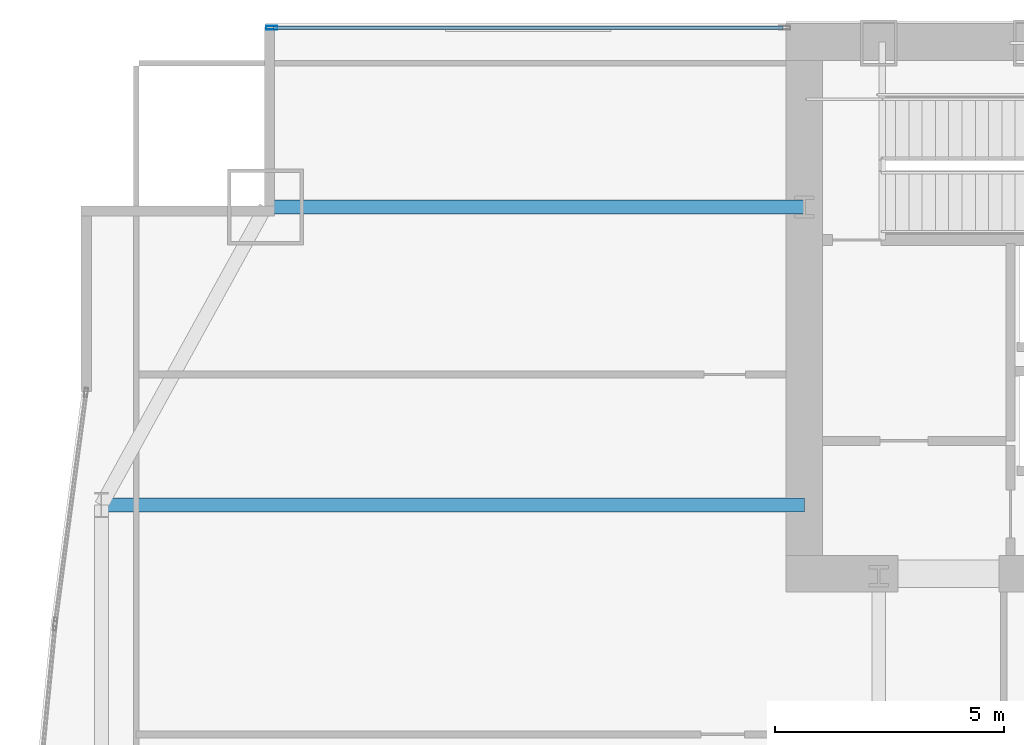
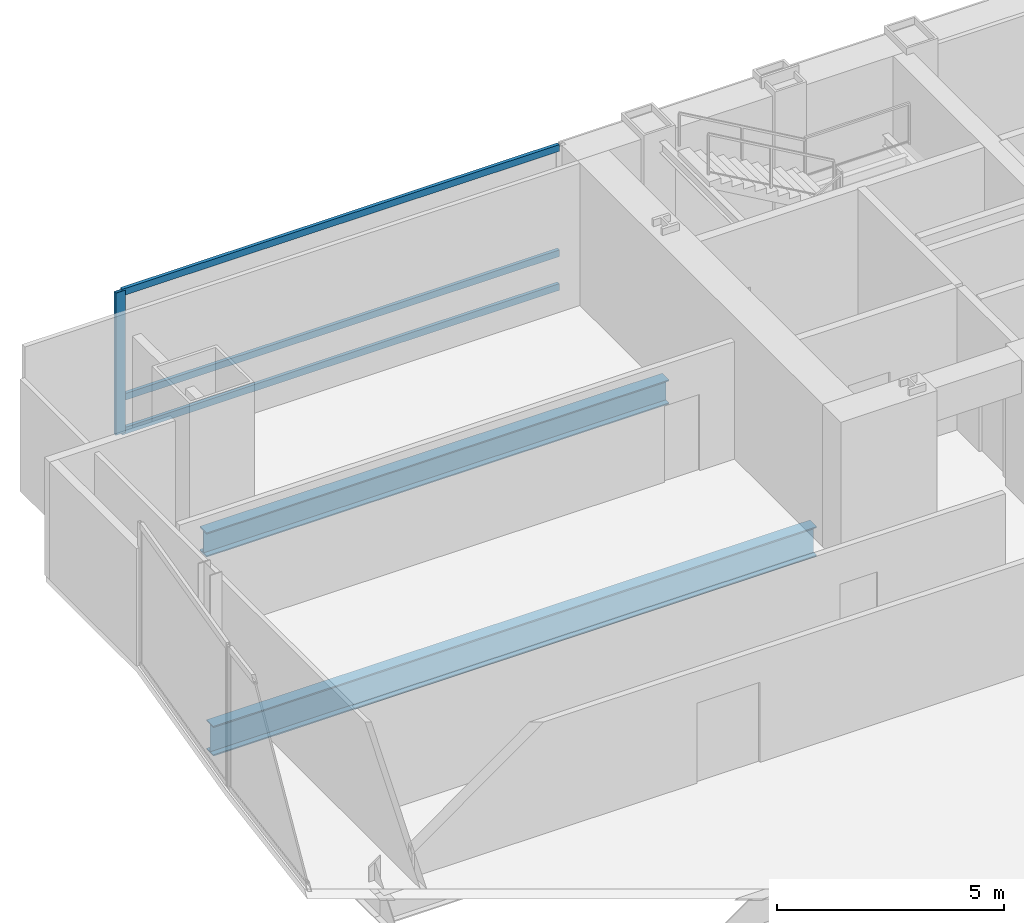
# One storey, part 17 of 35: 4 members, 2 beams, 1 element without a shape of its own.
"""IFC4 building model written with IfcOpenShell, lengths in metres."""

from ifc_helpers import new_model, si_unit, direction, frame, origin, origin_2d, place, context, subcontext, project, spatial, hollow_rectangle, i_section, extrude, material, material_profile, profile_set, type_object, element, aggregate, save


model = new_model("IFC4")

# Units and contexts
model_context = context("Model", 3, precision=1e-05, world=origin(), true_north=direction((0.0, 1.0)))
body_context = subcontext(model_context, "Body", "Model", "MODEL_VIEW")
ifc_project = project(units=[si_unit("LENGTHUNIT", "METRE"), si_unit("AREAUNIT", "SQUARE_METRE"), si_unit("VOLUMEUNIT", "CUBIC_METRE"), si_unit("PLANEANGLEUNIT", "RADIAN"), si_unit("MASSUNIT", "GRAM", prefix="KILO")], contexts=[model_context])

# Site, building, storey
site_placement = place(None, origin())
site = spatial("IfcSite", under=ifc_project, at=site_placement, CompositionType="ELEMENT")
building_placement = place(site_placement, origin())
building = spatial("IfcBuilding", under=site, at=building_placement, Name="Khoronbel Lancet Exchange", CompositionType="ELEMENT")
storey_placement = place(building_placement, frame((0.0, 0.0, 69.800048828125)))
storey = spatial("IfcBuildingStorey", under=building, at=storey_placement, Name="L16", CompositionType="ELEMENT", Elevation=69.800048828125)

# Beams
ifc_material_1 = material(Name="Steel S355", Category="steel")
ifc_material_profile_1 = material_profile(ifc_material_1, i_section(OverallWidth=0.300048828125, OverallDepth=0.800048828125, WebThickness=0.017578125, FlangeThickness=0.032958984375, at=origin_2d()), Name="HEB 800")
ifc_profile_set_1 = profile_set([ifc_material_profile_1], Name="Steel S355")
beam_type_1 = type_object("IfcBeamType", Name="BM-BG2", PredefinedType="BEAM", material=ifc_profile_set_1)
beam_1_placement = place(storey_placement, frame((1.27001953125, 43.199951171875, -0.580078125), z_axis=(1.0, 0.0, 0.0), x_axis=(0.0, 1.0, 0.0)))
element("IfcBeam", 1, at=beam_1_placement, inside=storey, type_object=beam_type_1, Name="Level L16 west lens tie girder LG3W", PredefinedType="BEAM", context=body_context, shape_type="SweptSolid", body=[
    extrude(i_section(OverallWidth=0.300048828125, OverallDepth=0.800048828125, WebThickness=0.017578125, FlangeThickness=0.032958984375, at=origin_2d()), origin(), (0.0, 0.0, 1.0), 15.330078125),
])
ifc_material_profile_2 = material_profile(ifc_material_1, i_section(OverallWidth=0.300048828125, OverallDepth=0.64990234375, WebThickness=0.01611328125, FlangeThickness=0.031005859375, at=origin_2d()), Name="HEB 650")
ifc_profile_set_2 = profile_set([ifc_material_profile_2], Name="Steel S355")
beam_type_2 = type_object("IfcBeamType", Name="BM-BSP1", PredefinedType="SPANDREL", material=ifc_profile_set_2)
beam_2_placement = place(storey_placement, frame((4.85009765625, 49.699951171875, -0.505126953125), z_axis=(1.0, 0.0, 0.0), x_axis=(0.0, 1.0, 0.0)))
element("IfcBeam", 2, at=beam_2_placement, inside=storey, type_object=beam_type_2, Name="Level L16 north flank tie spandrel SP22", PredefinedType="SPANDREL", context=body_context, shape_type="SweptSolid", body=[
    extrude(i_section(OverallWidth=0.300048828125, OverallDepth=0.64990234375, WebThickness=0.01611328125, FlangeThickness=0.031005859375, at=origin_2d()), origin(), (0.0, 0.0, 1.0), 11.75),
])

# Curtain wall, members
ifc_material_2 = material(Name="Low-E Solar Control Insulating Glass", Category="glass")
curtain_wall_type = type_object("IfcCurtainWallType", Name="CW-1", PredefinedType="NOTDEFINED", material=ifc_material_2)
curtain_wall_placement = place(storey_placement, origin())
curtain_wall = element("IfcCurtainWall", 3, at=curtain_wall_placement, inside=storey, type_object=curtain_wall_type, Name="Unitised curtain wall CW-L16-NWFLK", PredefinedType="NOTDEFINED")
ifc_material_3 = material(Name="Bronze-Anodised Aluminium 6063-T6", Category="aluminium")
ifc_material_profile_3 = material_profile(ifc_material_3, hollow_rectangle(XDim=0.0849609375, YDim=0.239990234375, WallThickness=0.006103515625, at=origin_2d()), Name="ALU MULLION 85x240")
ifc_profile_set_3 = profile_set([ifc_material_profile_3], Name="Bronze-Anodised Aluminium 6063-T6")
member_type_1 = type_object("IfcMemberType", Name="MEM-CWM1", PredefinedType="MULLION", material=ifc_profile_set_3)
member_1_placement = place(storey_placement, frame((4.982421875, 53.610107421875, 0.0), z_axis=(0.0, 0.0, 1.0), x_axis=(0.0, -1.0, 0.0)))
member_1 = element("IfcMember", 4, at=member_1_placement, type_object=member_type_1, Name="CW1 mullion 2", PredefinedType="MULLION", context=body_context, shape_type="SweptSolid", body=[
    extrude(hollow_rectangle(XDim=0.0849609375, YDim=0.239990234375, WallThickness=0.006103515625, at=origin_2d()), origin(), (0.0, 0.0, 1.0), 3.820068359375),
])
ifc_material_profile_4 = material_profile(ifc_material_3, hollow_rectangle(XDim=0.0849609375, YDim=0.179931640625, WallThickness=0.0048828125, at=origin_2d()), Name="ALU TRANSOM 85x180")
ifc_profile_set_4 = profile_set([ifc_material_profile_4], Name="Bronze-Anodised Aluminium 6063-T6")
member_type_2 = type_object("IfcMemberType", Name="MEM-CWT1", PredefinedType="USERDEFINED", material=ifc_profile_set_4)
member_2_placement = place(storey_placement, frame((16.135009765625, 53.610107421875, 0.04248046875), z_axis=(-1.0, 0.0, 0.0), x_axis=(0.0, -1.0, 0.0)))
member_2 = element("IfcMember", 5, at=member_2_placement, type_object=member_type_2, Name="CW1 transom 1.1", ObjectType="TRANSOM", PredefinedType="USERDEFINED", context=body_context, shape_type="SweptSolid", body=[
    extrude(hollow_rectangle(XDim=0.0849609375, YDim=0.179931640625, WallThickness=0.0048828125, at=origin_2d()), origin(), (0.0, 0.0, 1.0), 11.110107421875),
])
member_3_placement = place(storey_placement, frame((16.135009765625, 53.610107421875, 0.949951171875), z_axis=(-1.0, 0.0, 0.0), x_axis=(0.0, -1.0, 0.0)))
member_3 = element("IfcMember", 6, at=member_3_placement, type_object=member_type_2, Name="CW1 transom 1.2", ObjectType="TRANSOM", PredefinedType="USERDEFINED", context=body_context, shape_type="SweptSolid", body=[
    extrude(hollow_rectangle(XDim=0.0849609375, YDim=0.179931640625, WallThickness=0.0048828125, at=origin_2d()), origin(), (0.0, 0.0, 1.0), 11.110107421875),
])
member_4_placement = place(storey_placement, frame((16.135009765625, 53.610107421875, 3.77734375), z_axis=(-1.0, 0.0, 0.0), x_axis=(0.0, -1.0, 0.0)))
member_4 = element("IfcMember", 7, at=member_4_placement, type_object=member_type_2, Name="CW1 transom 1.3", ObjectType="TRANSOM", PredefinedType="USERDEFINED", context=body_context, shape_type="SweptSolid", body=[
    extrude(hollow_rectangle(XDim=0.0849609375, YDim=0.179931640625, WallThickness=0.0048828125, at=origin_2d()), origin(), (0.0, 0.0, 1.0), 11.110107421875),
])
aggregate(curtain_wall, [member_1, member_2, member_3, member_4])

save(model, "model.ifc")
